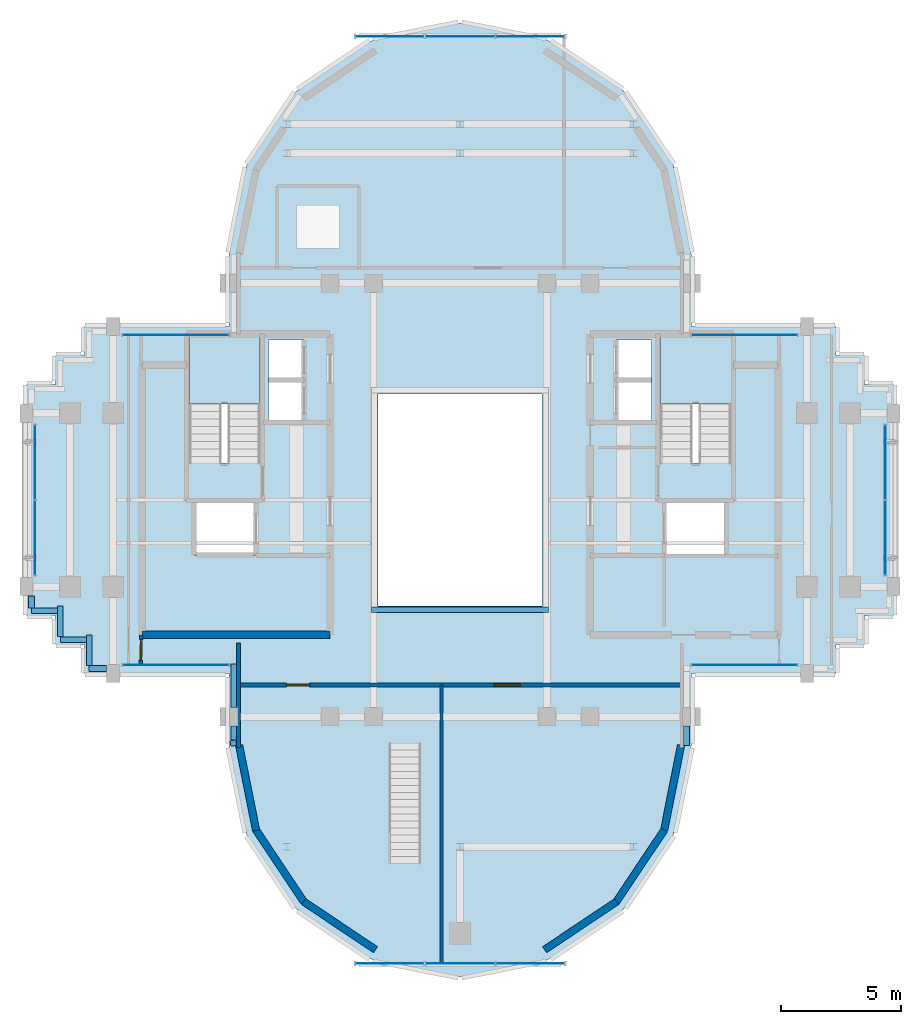
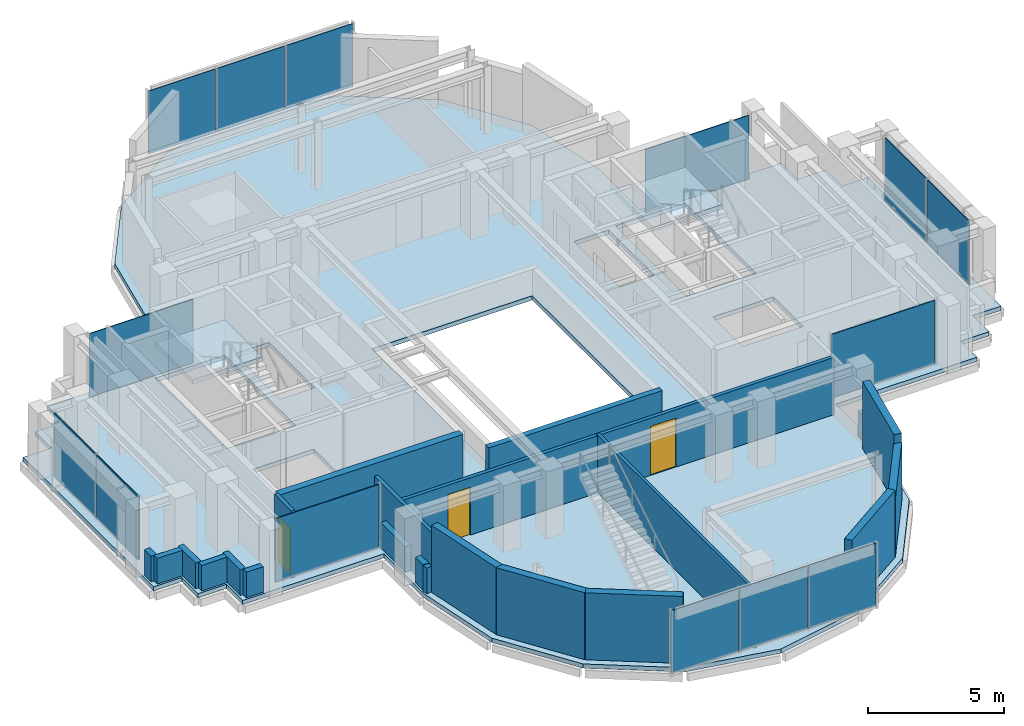
# One storey, part 7 of 12: 22 walls, 14 plates, 3 doors, 3 slabs, 3 openings, 10 elements without a shape of their own.
"""IFC4 building model written with IfcOpenShell, lengths in metres."""

from ifc_helpers import new_model, si_unit, direction, frame, frame_2d, origin, origin_2d, place, context, subcontext, project, spatial, polyline, rectangle, outline, extrude, source, transform, mapped, material, layer, layer_set, type_object, element, fill, aggregate, save


model = new_model("IFC4")

# Units and contexts
model_context = context("Model", 3, precision=1e-05, world=origin(), true_north=direction((0.0, 1.0)))
body_context = subcontext(model_context, "Body", "Model", "MODEL_VIEW")
ifc_project = project(units=[si_unit("LENGTHUNIT", "METRE"), si_unit("AREAUNIT", "SQUARE_METRE"), si_unit("VOLUMEUNIT", "CUBIC_METRE"), si_unit("PLANEANGLEUNIT", "RADIAN"), si_unit("MASSUNIT", "GRAM", prefix="KILO")], contexts=[model_context])

# Site, building, storey
site_placement = place(None, origin())
site = spatial("IfcSite", under=ifc_project, at=site_placement, CompositionType="ELEMENT")
building_placement = place(site_placement, origin())
building = spatial("IfcBuilding", under=site, at=building_placement, Name="Keilestroom Media Tower", CompositionType="ELEMENT")
storey_placement = place(building_placement, frame((0.0, 0.0, 239.60009765625)))
storey = spatial("IfcBuildingStorey", under=building, at=storey_placement, Name="L66", CompositionType="ELEMENT", Elevation=239.60009765625)

# Slab
ifc_material_1 = material(Name="Concrete C50/60", Category="concrete")
ifc_layer_1 = layer(ifc_material_1, 0.18994140625)
ifc_layer_set_1 = layer_set([ifc_layer_1], Name="Concrete C50/60")
slab_type_1 = type_object("IfcSlabType", Name="Composite-Floor-Slab-190", PredefinedType="FLOOR", material=ifc_layer_set_1)
slab_1_placement = place(storey_placement, frame((0.0, 0.0, -0.190185546875)))
element("IfcSlab", 1, at=slab_1_placement, inside=storey, type_object=slab_type_1, Name="L66 Structural Composite Floor Slab", PredefinedType="FLOOR", context=body_context, shape_type="SweptSolid", body=[
    extrude(outline(polyline([(18.0, -4.800048828125), (18.0, 4.800048828125), (16.800048828125, 4.800048828125), (16.800048828125, 6.0), (15.60009765625, 6.0), (15.60009765625, 7.199951171875), (9.60009765625, 7.199951171875), (9.60009765625, 9.60009765625), (9.60009765625, 10.199951171875), (8.869140625, 13.873779296875), (6.7880859375, 16.98828125), (3.673828125, 19.069091796875), (0.0, 19.800048828125), (-3.673828125, 19.069091796875), (-6.7880859375, 16.98828125), (-8.869140625, 13.873779296875), (-9.60009765625, 10.199951171875), (-9.60009765625, 9.60009765625), (-9.60009765625, 7.199951171875), (-15.60009765625, 7.199951171875), (-15.60009765625, 6.0), (-16.800048828125, 6.0), (-16.800048828125, 4.800048828125), (-18.0, 4.800048828125), (-18.0, -4.800048828125), (-16.800048828125, -4.800048828125), (-16.800048828125, -6.0), (-15.60009765625, -6.0), (-15.60009765625, -7.199951171875), (-9.60009765625, -7.199951171875), (-9.60009765625, -9.60009765625), (-9.60009765625, -10.199951171875), (-8.869140625, -13.873779296875), (-6.7880859375, -16.98828125), (-3.673828125, -19.069091796875), (0.0, -19.800048828125), (3.673828125, -19.069091796875), (6.7880859375, -16.98828125), (8.869140625, -13.873779296875), (9.60009765625, -10.199951171875), (9.60009765625, -9.60009765625), (9.60009765625, -7.199951171875), (15.60009765625, -7.199951171875), (15.60009765625, -6.0), (16.800048828125, -6.0), (16.800048828125, -4.800048828125), (18.0, -4.800048828125)]), holes=[polyline([(-8.300048828125, 1.544921875), (-11.260009765625, 1.544921875), (-11.260009765625, 6.760009765625), (-8.300048828125, 6.760009765625), (-8.300048828125, 1.544921875)]), polyline([(-8.47998046875, -2.280029296875), (-11.050048828125, -2.280029296875), (-11.050048828125, -0.10009765625), (-8.47998046875, -0.10009765625), (-8.47998046875, -2.280029296875)]), polyline([(-6.47998046875, 3.300048828125), (-7.949951171875, 3.300048828125), (-7.949951171875, 6.64990234375), (-6.47998046875, 6.64990234375), (-6.47998046875, 3.300048828125)]), polyline([(3.39990234375, -4.39990234375), (-3.39990234375, -4.39990234375), (-3.39990234375, 4.39990234375), (3.39990234375, 4.39990234375), (3.39990234375, -4.39990234375)]), polyline([(7.949951171875, 3.300048828125), (6.47998046875, 3.300048828125), (6.47998046875, 6.64990234375), (7.949951171875, 6.64990234375), (7.949951171875, 3.300048828125)]), polyline([(11.260009765625, 1.544921875), (8.300048828125, 1.544921875), (8.300048828125, 6.760009765625), (11.260009765625, 6.760009765625), (11.260009765625, 1.544921875)]), polyline([(11.050048828125, -2.280029296875), (8.47998046875, -2.280029296875), (8.47998046875, -0.10009765625), (11.050048828125, -0.10009765625), (11.050048828125, -2.280029296875)])]), origin(), (0.0, 0.0, 1.0), 0.190185546875),
])

# Stair, slab
ifc_material_2 = material(Name="Concrete C45/55", Category="concrete")
stair_type = type_object("IfcStairType", Name="Enclosed-Dog-Leg-Stair-ST-CORE", PredefinedType="HALF_TURN_STAIR", material=ifc_material_2)
stair_1_placement = place(storey_placement, origin())
stair_1 = element("IfcStair", 2, at=stair_1_placement, inside=storey, type_object=stair_type, Name="L66 West Core Escape Stair ST-1", PredefinedType="HALF_TURN_STAIR")
ifc_layer_2 = layer(ifc_material_2, 0.199951171875)
ifc_layer_set_2 = layer_set([ifc_layer_2], Name="Concrete C45/55")
slab_type_2 = type_object("IfcSlabType", Name="Stair-Intermediate-And-Top-Landing-Slab-200", PredefinedType="LANDING", material=ifc_layer_set_2)
slab_2_placement = place(storey_placement, frame((0.0, 0.0, 1.39990234375)))
slab_2 = element("IfcSlab", 3, at=slab_2_placement, type_object=slab_type_2, Name="ST-1 landing 1", PredefinedType="LANDING", context=body_context, shape_type="SweptSolid", body=[
    extrude(outline(polyline([(-8.300048828125, 3.99609375), (-8.300048828125, 6.760009765625), (-11.260009765625, 6.760009765625), (-11.260009765625, 3.99609375), (-8.300048828125, 3.99609375)])), origin(), (0.0, 0.0, 1.0), 0.199951171875),
])
aggregate(stair_1, [slab_2])

stair_2_placement = place(storey_placement, origin())
stair_2 = element("IfcStair", 4, at=stair_2_placement, inside=storey, type_object=stair_type, Name="L66 East Core Escape Stair ST-2", PredefinedType="HALF_TURN_STAIR")
slab_3_placement = place(storey_placement, frame((0.0, 0.0, 1.39990234375)))
slab_3 = element("IfcSlab", 5, at=slab_3_placement, type_object=slab_type_2, Name="ST-2 landing 1", PredefinedType="LANDING", context=body_context, shape_type="SweptSolid", body=[
    extrude(outline(polyline([(11.260009765625, 3.99609375), (11.260009765625, 6.760009765625), (8.300048828125, 6.760009765625), (8.300048828125, 3.99609375), (11.260009765625, 3.99609375)])), origin(), (0.0, 0.0, 1.0), 0.199951171875),
])
aggregate(stair_2, [slab_3])

# Curtain wall, plates
ifc_material_3 = material(Name="Anodised Aluminium Alloy", Category="aluminium")
curtain_wall_type_1 = type_object("IfcCurtainWallType", Name="Unitised-Curtain-Wall-CW-6", PredefinedType="NOTDEFINED", material=ifc_material_3)
curtain_wall_1_placement = place(storey_placement, origin())
curtain_wall_1 = element("IfcCurtainWall", 6, at=curtain_wall_1_placement, inside=storey, type_object=curtain_wall_type_1, Name="L66 Curtain Wall CW-6 CW-L66-LN-1", PredefinedType="NOTDEFINED")
ifc_material_4 = material(Name="Curved-Facet Triple Glazed Unit", Category="glass")
ifc_layer_3 = layer(ifc_material_4, 0.033935546875)
ifc_layer_set_3 = layer_set([ifc_layer_3], Name="Curved-Facet Triple Glazed Unit")
plate_type_1 = type_object("IfcPlateType", Name="Insulated-Curtain-Wall-Glazing-Panel-CW-6", PredefinedType="CURTAIN_PANEL", material=ifc_layer_set_3)
shared_shape_1 = source(origin(), body_context, "Body", "SweptSolid", [
    extrude(rectangle(XDim=2.84375, YDim=0.033935546875, at=origin_2d()), origin(), (0.0, 0.0, 1.0), 2.833984375),
])
plate_1_placement = place(storey_placement, frame((-2.9169921875, 19.25, 0.072998046875), z_axis=(0.0, 0.0, 1.0), x_axis=(1.0, 0.0, 0.0)))
plate_1 = element("IfcPlate", 7, at=plate_1_placement, type_object=plate_type_1, Name="CW-6 Unitised Glazing 00", PredefinedType="CURTAIN_PANEL", context=body_context, shape_type="MappedRepresentation", body=[
    mapped(shared_shape_1, transform((0.0, 0.0, 0.0), x_axis=(1.0, 0.0, 0.0), y_axis=(0.0, 1.0, 0.0), z_axis=(0.0, 0.0, 1.0), scale=1.0)),
])
plate_2_placement = place(storey_placement, frame((2.9169921875, 19.25, 0.072998046875), z_axis=(0.0, 0.0, 1.0), x_axis=(1.0, 0.0, 0.0)))
plate_2 = element("IfcPlate", 8, at=plate_2_placement, type_object=plate_type_1, Name="CW-6 Unitised Glazing 02", PredefinedType="CURTAIN_PANEL", context=body_context, shape_type="MappedRepresentation", body=[
    mapped(shared_shape_1, transform((0.0, 0.0, 0.0), x_axis=(1.0, 0.0, 0.0), y_axis=(0.0, 1.0, 0.0), z_axis=(0.0, 0.0, 1.0), scale=1.0)),
])

curtain_wall_2_placement = place(storey_placement, origin())
curtain_wall_2 = element("IfcCurtainWall", 9, at=curtain_wall_2_placement, inside=storey, type_object=curtain_wall_type_1, Name="L66 Curtain Wall CW-6 CW-L66-LS-1", PredefinedType="NOTDEFINED")
plate_3_placement = place(storey_placement, frame((-2.9169921875, -19.25, 0.072998046875), z_axis=(0.0, 0.0, 1.0), x_axis=(1.0, 0.0, 0.0)))
plate_3 = element("IfcPlate", 10, at=plate_3_placement, type_object=plate_type_1, Name="CW-6 Unitised Glazing 00", PredefinedType="CURTAIN_PANEL", context=body_context, shape_type="MappedRepresentation", body=[
    mapped(shared_shape_1, transform((0.0, 0.0, 0.0), x_axis=(1.0, 0.0, 0.0), y_axis=(0.0, 1.0, 0.0), z_axis=(0.0, 0.0, 1.0), scale=1.0)),
])
plate_4_placement = place(storey_placement, frame((2.9169921875, -19.25, 0.072998046875), z_axis=(0.0, 0.0, 1.0), x_axis=(1.0, 0.0, 0.0)))
plate_4 = element("IfcPlate", 11, at=plate_4_placement, type_object=plate_type_1, Name="CW-6 Unitised Glazing 02", PredefinedType="CURTAIN_PANEL", context=body_context, shape_type="MappedRepresentation", body=[
    mapped(shared_shape_1, transform((0.0, 0.0, 0.0), x_axis=(1.0, 0.0, 0.0), y_axis=(0.0, 1.0, 0.0), z_axis=(0.0, 0.0, 1.0), scale=1.0)),
])

# Plate
shared_shape_2 = source(origin(), body_context, "Body", "SweptSolid", [
    extrude(rectangle(XDim=2.876220703125, YDim=0.033935546875, at=origin_2d()), origin(), (0.0, 0.0, 1.0), 2.833984375),
])
plate_5_placement = place(storey_placement, frame((0.0, 19.25, 0.072998046875), z_axis=(0.0, 0.0, 1.0), x_axis=(1.0, 0.0, 0.0)))
plate_5 = element("IfcPlate", 12, at=plate_5_placement, type_object=plate_type_1, Name="CW-6 Unitised Glazing 01", PredefinedType="CURTAIN_PANEL", context=body_context, shape_type="MappedRepresentation", body=[
    mapped(shared_shape_2, transform((0.0, 0.0, 0.0), x_axis=(1.0, 0.0, 0.0), y_axis=(0.0, 1.0, 0.0), z_axis=(0.0, 0.0, 1.0), scale=1.0)),
])

aggregate(curtain_wall_1, [plate_1, plate_5, plate_2])

plate_6_placement = place(storey_placement, frame((0.0, -19.25, 0.072998046875), z_axis=(0.0, 0.0, 1.0), x_axis=(1.0, 0.0, 0.0)))
plate_6 = element("IfcPlate", 13, at=plate_6_placement, type_object=plate_type_1, Name="CW-6 Unitised Glazing 01", PredefinedType="CURTAIN_PANEL", context=body_context, shape_type="MappedRepresentation", body=[
    mapped(shared_shape_2, transform((0.0, 0.0, 0.0), x_axis=(1.0, 0.0, 0.0), y_axis=(0.0, 1.0, 0.0), z_axis=(0.0, 0.0, 1.0), scale=1.0)),
])

aggregate(curtain_wall_2, [plate_3, plate_6, plate_4])

# Curtain wall, plates
curtain_wall_type_2 = type_object("IfcCurtainWallType", Name="Unitised-Curtain-Wall-CW-4", PredefinedType="NOTDEFINED", material=ifc_material_3)
curtain_wall_3_placement = place(storey_placement, origin())
curtain_wall_3 = element("IfcCurtainWall", 14, at=curtain_wall_3_placement, inside=storey, type_object=curtain_wall_type_2, Name="L66 Curtain Wall CW-4 CW-L66-W-1", PredefinedType="NOTDEFINED")
ifc_material_5 = material(Name="Triple Glazed Solar-Control Unit", Category="glass")
ifc_layer_4 = layer(ifc_material_5, 0.035888671875)
ifc_layer_set_4 = layer_set([ifc_layer_4], Name="Triple Glazed Solar-Control Unit")
plate_type_2 = type_object("IfcPlateType", Name="Insulated-Curtain-Wall-Glazing-Panel-CW-4", PredefinedType="CURTAIN_PANEL", material=ifc_layer_set_4)
shared_shape_3 = source(origin(), body_context, "Body", "SweptSolid", [
    extrude(rectangle(XDim=3.0830078125, YDim=0.035888671875, at=origin_2d()), origin(), (0.0, 0.0, 1.0), 2.85400390625),
])
plate_7_placement = place(storey_placement, frame((-17.64990234375, -1.5673828125, 0.06298828125), z_axis=(0.0, 0.0, 1.0), x_axis=(0.0, 1.0, 0.0)))
plate_7 = element("IfcPlate", 15, at=plate_7_placement, type_object=plate_type_2, Name="CW-4 Unitised Glazing 00", PredefinedType="CURTAIN_PANEL", context=body_context, shape_type="MappedRepresentation", body=[
    mapped(shared_shape_3, transform((0.0, 0.0, 0.0), x_axis=(1.0, 0.0, 0.0), y_axis=(0.0, 1.0, 0.0), z_axis=(0.0, 0.0, 1.0), scale=1.0)),
])
plate_8_placement = place(storey_placement, frame((-17.64990234375, 1.5673828125, 0.06298828125), z_axis=(0.0, 0.0, 1.0), x_axis=(0.0, 1.0, 0.0)))
plate_8 = element("IfcPlate", 16, at=plate_8_placement, type_object=plate_type_2, Name="CW-4 Unitised Glazing 01", PredefinedType="CURTAIN_PANEL", context=body_context, shape_type="MappedRepresentation", body=[
    mapped(shared_shape_3, transform((0.0, 0.0, 0.0), x_axis=(1.0, 0.0, 0.0), y_axis=(0.0, 1.0, 0.0), z_axis=(0.0, 0.0, 1.0), scale=1.0)),
])
aggregate(curtain_wall_3, [plate_7, plate_8])

curtain_wall_4_placement = place(storey_placement, origin())
curtain_wall_4 = element("IfcCurtainWall", 17, at=curtain_wall_4_placement, inside=storey, type_object=curtain_wall_type_2, Name="L66 Curtain Wall CW-4 CW-L66-E-1", PredefinedType="NOTDEFINED")
plate_9_placement = place(storey_placement, frame((17.64990234375, -1.5673828125, 0.06298828125), z_axis=(0.0, 0.0, 1.0), x_axis=(0.0, 1.0, 0.0)))
plate_9 = element("IfcPlate", 18, at=plate_9_placement, type_object=plate_type_2, Name="CW-4 Unitised Glazing 00", PredefinedType="CURTAIN_PANEL", context=body_context, shape_type="MappedRepresentation", body=[
    mapped(shared_shape_3, transform((0.0, 0.0, 0.0), x_axis=(1.0, 0.0, 0.0), y_axis=(0.0, 1.0, 0.0), z_axis=(0.0, 0.0, 1.0), scale=1.0)),
])
plate_10_placement = place(storey_placement, frame((17.64990234375, 1.5673828125, 0.06298828125), z_axis=(0.0, 0.0, 1.0), x_axis=(0.0, 1.0, 0.0)))
plate_10 = element("IfcPlate", 19, at=plate_10_placement, type_object=plate_type_2, Name="CW-4 Unitised Glazing 01", PredefinedType="CURTAIN_PANEL", context=body_context, shape_type="MappedRepresentation", body=[
    mapped(shared_shape_3, transform((0.0, 0.0, 0.0), x_axis=(1.0, 0.0, 0.0), y_axis=(0.0, 1.0, 0.0), z_axis=(0.0, 0.0, 1.0), scale=1.0)),
])
aggregate(curtain_wall_4, [plate_9, plate_10])

# Curtain wall, plate
curtain_wall_5_placement = place(storey_placement, origin())
curtain_wall_5 = element("IfcCurtainWall", 20, at=curtain_wall_5_placement, inside=storey, type_object=curtain_wall_type_2, Name="L66 Curtain Wall CW-4 CW-L66-NW-1", PredefinedType="NOTDEFINED")
shared_shape_4 = source(origin(), body_context, "Body", "SweptSolid", [
    extrude(rectangle(XDim=4.403076171875, YDim=0.035888671875, at=origin_2d()), origin(), (0.0, 0.0, 1.0), 2.85400390625),
])
plate_11_placement = place(storey_placement, frame((-11.8076171875, 6.85009765625, 0.06298828125), z_axis=(0.0, 0.0, 1.0), x_axis=(1.0, 0.0, 0.0)))
plate_11 = element("IfcPlate", 21, at=plate_11_placement, type_object=plate_type_2, Name="CW-4 Unitised Glazing 00", PredefinedType="CURTAIN_PANEL", context=body_context, shape_type="MappedRepresentation", body=[
    mapped(shared_shape_4, transform((0.0, 0.0, 0.0), x_axis=(1.0, 0.0, 0.0), y_axis=(0.0, 1.0, 0.0), z_axis=(0.0, 0.0, 1.0), scale=1.0)),
])
aggregate(curtain_wall_5, [plate_11])

curtain_wall_6_placement = place(storey_placement, origin())
curtain_wall_6 = element("IfcCurtainWall", 22, at=curtain_wall_6_placement, inside=storey, type_object=curtain_wall_type_2, Name="L66 Curtain Wall CW-4 CW-L66-NE-1", PredefinedType="NOTDEFINED")
plate_12_placement = place(storey_placement, frame((11.8076171875, 6.85009765625, 0.06298828125), z_axis=(0.0, 0.0, 1.0), x_axis=(1.0, 0.0, 0.0)))
plate_12 = element("IfcPlate", 23, at=plate_12_placement, type_object=plate_type_2, Name="CW-4 Unitised Glazing 00", PredefinedType="CURTAIN_PANEL", context=body_context, shape_type="MappedRepresentation", body=[
    mapped(shared_shape_4, transform((0.0, 0.0, 0.0), x_axis=(1.0, 0.0, 0.0), y_axis=(0.0, 1.0, 0.0), z_axis=(0.0, 0.0, 1.0), scale=1.0)),
])
aggregate(curtain_wall_6, [plate_12])

curtain_wall_7_placement = place(storey_placement, origin())
curtain_wall_7 = element("IfcCurtainWall", 24, at=curtain_wall_7_placement, inside=storey, type_object=curtain_wall_type_2, Name="L66 Curtain Wall CW-4 CW-L66-SW-1", PredefinedType="NOTDEFINED")
plate_13_placement = place(storey_placement, frame((-11.8076171875, -6.85009765625, 0.06298828125), z_axis=(0.0, 0.0, 1.0), x_axis=(1.0, 0.0, 0.0)))
plate_13 = element("IfcPlate", 25, at=plate_13_placement, type_object=plate_type_2, Name="CW-4 Unitised Glazing 00", PredefinedType="CURTAIN_PANEL", context=body_context, shape_type="MappedRepresentation", body=[
    mapped(shared_shape_4, transform((0.0, 0.0, 0.0), x_axis=(1.0, 0.0, 0.0), y_axis=(0.0, 1.0, 0.0), z_axis=(0.0, 0.0, 1.0), scale=1.0)),
])
aggregate(curtain_wall_7, [plate_13])

curtain_wall_8_placement = place(storey_placement, origin())
curtain_wall_8 = element("IfcCurtainWall", 26, at=curtain_wall_8_placement, inside=storey, type_object=curtain_wall_type_2, Name="L66 Curtain Wall CW-4 CW-L66-SE-1", PredefinedType="NOTDEFINED")
plate_14_placement = place(storey_placement, frame((11.8076171875, -6.85009765625, 0.06298828125), z_axis=(0.0, 0.0, 1.0), x_axis=(1.0, 0.0, 0.0)))
plate_14 = element("IfcPlate", 27, at=plate_14_placement, type_object=plate_type_2, Name="CW-4 Unitised Glazing 00", PredefinedType="CURTAIN_PANEL", context=body_context, shape_type="MappedRepresentation", body=[
    mapped(shared_shape_4, transform((0.0, 0.0, 0.0), x_axis=(1.0, 0.0, 0.0), y_axis=(0.0, 1.0, 0.0), z_axis=(0.0, 0.0, 1.0), scale=1.0)),
])
aggregate(curtain_wall_8, [plate_14])

# Walls
ifc_material_6 = material(Name="Precast concrete C40/50", Category="concrete")
ifc_layer_5 = layer(ifc_material_6, 0.300048828125)
ifc_layer_set_5 = layer_set([ifc_layer_5], Name="Precast concrete C40/50")
wall_type_1 = type_object("IfcWallType", Name="Exterior-Masonry-Spandrel-Wall-300", PredefinedType="SOLIDWALL", material=ifc_layer_set_5)
for number, where, z_axis, x_axis, name in (
    (28, (-9.1748046875, -10.185302734375, 0.0), (0.0, 0.0, 1.0), (0.195114232679, -0.980780523974, 0.0), "L66 Lobe Facet Precast Frame Wall 07"),
    (29, (-8.48193359375, -13.697509765625, 0.0), (0.0, 0.0, 1.0), (0.555574187116, -0.831466970246, 0.0), "L66 Lobe Facet Precast Frame Wall 08"),
):
    element("IfcWall", number, at=place(storey_placement, frame(where, z_axis=z_axis, x_axis=x_axis)), inside=storey, type_object=wall_type_1, Name=name, PredefinedType="SOLIDWALL", context=body_context, shape_type="SweptSolid", body=[
        extrude(rectangle(XDim=3.608642578125, YDim=0.300048828125, at=frame_2d((1.80419921875, 0.0))), origin(), (0.0, 0.0, 1.0), 3.010009765625),
    ])
for number, where, z_axis, x_axis, name in (
    (30, (-6.497802734375, -16.677001953125, 0.0), (0.0, 0.0, 1.0), (0.831443568068, -0.555609208993, 0.0), "L66 Lobe Facet Precast Frame Wall 09"),
    (31, (3.510009765625, -18.673583984375, 0.0), (0.0, 0.0, 1.0), (0.831443568068, 0.555609208993, 0.0), "L66 Lobe Facet Precast Frame Wall 10"),
):
    element("IfcWall", number, at=place(storey_placement, frame(where, z_axis=z_axis, x_axis=x_axis)), inside=storey, type_object=wall_type_1, Name=name, PredefinedType="SOLIDWALL", context=body_context, shape_type="SweptSolid", body=[
        extrude(rectangle(XDim=3.593505859375, YDim=0.300048828125, at=frame_2d((1.796875, 0.0))), origin(), (0.0, 0.0, 1.0), 3.010009765625),
    ])
wall_1_placement = place(storey_placement, frame((6.47705078125, -16.697998046875, 0.0), z_axis=(0.0, 0.0, 1.0), x_axis=(0.555574187116, 0.831466970246, 0.0)))
element("IfcWall", 32, at=wall_1_placement, inside=storey, type_object=wall_type_1, Name="L66 Lobe Facet Precast Frame Wall 11", PredefinedType="SOLIDWALL", context=body_context, shape_type="SweptSolid", body=[
    extrude(rectangle(XDim=3.608642578125, YDim=0.300048828125, at=frame_2d((1.80419921875, 0.0))), origin(), (0.0, 0.0, 1.0), 2.60986328125),
])
wall_2_placement = place(storey_placement, frame((8.470703125, -13.724609375, 0.0), z_axis=(0.0, 0.0, 1.0), x_axis=(0.195114232679, 0.980780523974, 0.0)))
element("IfcWall", 33, at=wall_2_placement, inside=storey, type_object=wall_type_1, Name="L66 Lobe Facet Precast Frame Wall 12", PredefinedType="SOLIDWALL", context=body_context, shape_type="SweptSolid", body=[
    extrude(rectangle(XDim=3.608642578125, YDim=0.300048828125, at=frame_2d((1.80419921875, 0.0))), origin(), (0.0, 0.0, 1.0), 3.010009765625),
])
ifc_material_7 = material(Name="Gypsum Plasterboard & Steel Stud", Category="steel")
ifc_layer_6 = layer(ifc_material_7, 0.1201171875)
ifc_layer_set_6 = layer_set([ifc_layer_6], Name="Gypsum Plasterboard & Steel Stud")
wall_type_2 = type_object("IfcWallType", Name="Interior-Partition-Wall-120", PredefinedType="PARTITIONING", material=ifc_layer_set_6)
wall_3_placement = place(storey_placement, frame((-0.780029296875, -19.25, 0.0), z_axis=(0.0, 0.0, 1.0), x_axis=(0.0, 1.0, 0.0)))
element("IfcWall", 34, at=wall_3_placement, inside=storey, type_object=wall_type_2, Name="L66 Interior Wall WP-L66-SL-VS", PredefinedType="PARTITIONING", context=body_context, shape_type="SweptSolid", body=[
    extrude(rectangle(XDim=11.570068359375, YDim=0.1201171875, at=frame_2d((5.78515625, 0.0))), origin(), (0.0, 0.0, 1.0), 2.60986328125),
])

# Wall, openings, doors
ifc_layer_7 = layer(ifc_material_7, 0.14990234375)
ifc_layer_set_7 = layer_set([ifc_layer_7], Name="Gypsum Plasterboard & Steel Stud")
wall_type_3 = type_object("IfcWallType", Name="Interior-Partition-Wall-150", PredefinedType="PARTITIONING", material=ifc_layer_set_7)
wall_4_placement = place(storey_placement, frame((-9.199951171875, -7.679931640625, 0.0), z_axis=(0.0, 0.0, 1.0), x_axis=(1.0, 0.0, 0.0)))
wall_4 = element("IfcWall", 35, at=wall_4_placement, inside=storey, type_object=wall_type_3, Name="L66 Interior Wall WP-L66-SL-BASE", PredefinedType="PARTITIONING", context=body_context, shape_type="SweptSolid", body=[
    extrude(rectangle(XDim=18.39990234375, YDim=0.14990234375, at=frame_2d((9.199951171875, 0.0))), origin(), (0.0, 0.0, 1.0), 2.56982421875),
])
opening_1_placement = place(wall_4_placement, frame((2.0, 0.0, 0.0)))
opening_1 = element("IfcOpeningElement", 36, at=opening_1_placement, cuts=wall_4, Name="Opening DI-03", PredefinedType="OPENING", context=body_context, shape_type="SweptSolid", body=[
    extrude(rectangle(XDim=0.949951171875, YDim=2.14990234375, at=frame_2d((0.47509765625, 1.074951171875))), frame((0.0, 0.0849609375, 0.0), z_axis=(0.0, -1.0, 0.0), x_axis=(1.0, 0.0, 0.0)), (0.0, 0.0, 1.0), 0.169921875),
])
opening_2_placement = place(wall_4_placement, frame((10.60009765625, 0.0, 0.0)))
opening_2 = element("IfcOpeningElement", 37, at=opening_2_placement, cuts=wall_4, Name="Opening DI-04", PredefinedType="OPENING", context=body_context, shape_type="SweptSolid", body=[
    extrude(rectangle(XDim=1.10009765625, YDim=2.199951171875, at=frame_2d((0.550048828125, 1.10009765625))), frame((0.0, 0.0849609375, 0.0), z_axis=(0.0, -1.0, 0.0), x_axis=(1.0, 0.0, 0.0)), (0.0, 0.0, 1.0), 0.169921875),
])
ifc_material_8 = material(Name="Lacquered European Oak Leaf", Category="wood")
door_type_1 = type_object("IfcDoorType", Name="Interior-Room-And-Suite-Door-DI-03", OperationType="NOTDEFINED", PredefinedType="DOOR", material=ifc_material_8)
shared_shape_5 = source(origin(), body_context, "Body", "SweptSolid", [
    extrude(rectangle(XDim=0.949951171875, YDim=2.14990234375, at=frame_2d((0.47509765625, 1.074951171875))), frame((0.0, 0.02490234375, 0.0), z_axis=(0.0, -1.0, 0.0), x_axis=(1.0, 0.0, 0.0)), (0.0, 0.0, 1.0), 0.050048828125),
])
door_1_placement = place(opening_1_placement, origin())
door_1 = element("IfcDoor", 38, at=door_1_placement, inside=storey, type_object=door_type_1, Name="L66 Interior Door DI-L66-DSL-W", OperationType="SINGLE_SWING_RIGHT", OverallHeight=2.14990234375, OverallWidth=0.949951171875, PredefinedType="DOOR", context=body_context, shape_type="MappedRepresentation", body=[
    mapped(shared_shape_5, transform((0.0, 0.0, 0.0), x_axis=(1.0, 0.0, 0.0), y_axis=(0.0, 1.0, 0.0), z_axis=(0.0, 0.0, 1.0), scale=1.0)),
])
fill(opening_1, door_1)
ifc_material_9 = material(Name="Acoustic Glazed Aluminium Leaf", Category="aluminium")
door_type_2 = type_object("IfcDoorType", Name="Interior-Room-And-Suite-Door-DI-04", OperationType="NOTDEFINED", PredefinedType="DOOR", material=ifc_material_9)
shared_shape_6 = source(origin(), body_context, "Body", "SweptSolid", [
    extrude(rectangle(XDim=1.10009765625, YDim=2.199951171875, at=frame_2d((0.550048828125, 1.10009765625))), frame((0.0, 0.02490234375, 0.0), z_axis=(0.0, -1.0, 0.0), x_axis=(1.0, 0.0, 0.0)), (0.0, 0.0, 1.0), 0.050048828125),
])
door_2_placement = place(opening_2_placement, origin())
door_2 = element("IfcDoor", 39, at=door_2_placement, inside=storey, type_object=door_type_2, Name="L66 Interior Door DI-L66-DSL-E", OperationType="SINGLE_SWING_LEFT", OverallHeight=2.199951171875, OverallWidth=1.10009765625, PredefinedType="DOOR", context=body_context, shape_type="MappedRepresentation", body=[
    mapped(shared_shape_6, transform((0.0, 0.0, 0.0), x_axis=(1.0, 0.0, 0.0), y_axis=(0.0, 1.0, 0.0), z_axis=(0.0, 0.0, 1.0), scale=1.0)),
])
fill(opening_2, door_2)

# Wall
wall_5_placement = place(storey_placement, frame((-9.199951171875, -10.280029296875, 0.0), z_axis=(0.0, 0.0, 1.0), x_axis=(0.0, 1.0, 0.0)))
element("IfcWall", 40, at=wall_5_placement, inside=storey, type_object=wall_type_3, Name="L66 Interior Wall WP-L66-SL-CHKW", PredefinedType="PARTITIONING", context=body_context, shape_type="SweptSolid", body=[
    extrude(rectangle(XDim=4.340087890625, YDim=0.14990234375, at=frame_2d((2.169921875, 0.0))), origin(), (0.0, 0.0, 1.0), 2.60986328125),
])

# Wall, opening, door
wall_6_placement = place(storey_placement, frame((-13.260009765625, -6.85009765625, 0.0), z_axis=(0.0, 0.0, 1.0), x_axis=(0.016013571389, 0.999871774545, 0.0)))
wall_6 = element("IfcWall", 41, at=wall_6_placement, inside=storey, type_object=wall_type_3, Name="L66 Interior Wall WP-L66-WA-ENTS", PredefinedType="PARTITIONING", context=body_context, shape_type="SweptSolid", body=[
    extrude(rectangle(XDim=1.250244140625, YDim=0.14990234375, at=frame_2d((0.625, 0.0))), origin(), (0.0, 0.0, 1.0), 3.010009765625),
])
opening_3_placement = place(wall_6_placement, frame((0.199951171875, 0.0, 0.0)))
opening_3 = element("IfcOpeningElement", 42, at=opening_3_placement, cuts=wall_6, Name="Opening DI-05", PredefinedType="OPENING", context=body_context, shape_type="SweptSolid", body=[
    extrude(rectangle(XDim=0.85009765625, YDim=2.10009765625, at=frame_2d((0.425048828125, 1.050048828125))), frame((0.0, 0.0849609375, 0.0), z_axis=(0.0, -1.0, 0.0), x_axis=(1.0, 0.0, 0.0)), (0.0, 0.0, 1.0), 0.169921875),
])
ifc_material_10 = material(Name="Moisture-Resistant Oak Leaf", Category="wood")
door_type_3 = type_object("IfcDoorType", Name="Interior-En-Suite-And-Cupboard-Door-DI-05", OperationType="NOTDEFINED", PredefinedType="DOOR", material=ifc_material_10)
shared_shape_7 = source(origin(), body_context, "Body", "SweptSolid", [
    extrude(rectangle(XDim=0.85009765625, YDim=2.10009765625, at=frame_2d((0.425048828125, 1.050048828125))), frame((0.0, 0.02490234375, 0.0), z_axis=(0.0, -1.0, 0.0), x_axis=(1.0, 0.0, 0.0)), (0.0, 0.0, 1.0), 0.050048828125),
])
door_3_placement = place(opening_3_placement, origin())
door_3 = element("IfcDoor", 43, at=door_3_placement, inside=storey, type_object=door_type_3, Name="L66 Interior Door DI-L66-DWA-ENTS", OperationType="SINGLE_SWING_RIGHT", OverallHeight=2.10009765625, OverallWidth=0.85009765625, PredefinedType="DOOR", context=body_context, shape_type="MappedRepresentation", body=[
    mapped(shared_shape_7, transform((0.0, 0.0, 0.0), x_axis=(1.0, 0.0, 0.0), y_axis=(0.0, 1.0, 0.0), z_axis=(0.0, 0.0, 1.0), scale=1.0)),
])
fill(opening_3, door_3)

# Walls
ifc_layer_8 = layer(ifc_material_1, 0.300048828125)
ifc_layer_set_8 = layer_set([ifc_layer_8], Name="Concrete C50/60")
wall_type_4 = type_object("IfcWallType", Name="Reinforced-Concrete-Core-Shear-Wall-300", PredefinedType="SHEAR", material=ifc_layer_set_8)
wall_7_placement = place(storey_placement, frame((-13.199951171875, -5.60009765625, 0.0), z_axis=(0.0, 0.0, 1.0), x_axis=(1.0, 0.0, 0.0)))
element("IfcWall", 44, at=wall_7_placement, inside=storey, type_object=wall_type_4, Name="L66 Core Shear Wall WL-L66-CORE-W-S", PredefinedType="SHEAR", context=body_context, shape_type="SweptSolid", body=[
    extrude(rectangle(XDim=7.800048828125, YDim=0.300048828125, at=frame_2d((3.89990234375, 0.0))), origin(), (0.0, 0.0, 1.0), 3.010009765625),
])
ifc_layer_9 = layer(ifc_material_6, 0.239990234375)
ifc_layer_set_9 = layer_set([ifc_layer_9], Name="Precast concrete C40/50")
wall_type_5 = type_object("IfcWallType", Name="Roof-And-Terrace-Parapet-Wall-240", PredefinedType="PARAPET", material=ifc_layer_set_9)
wall_8_placement = place(storey_placement, frame((9.39990234375, -9.3779296875, 0.0), z_axis=(0.0, 0.0, 1.0), x_axis=(0.0, -1.0, 0.0)))
element("IfcWall", 45, at=wall_8_placement, inside=storey, type_object=wall_type_5, Name="L66 Perimeter Edge Parapet Wall 09", PredefinedType="PARAPET", context=body_context, shape_type="SweptSolid", body=[
    extrude(rectangle(XDim=0.824951171875, YDim=0.239990234375, at=frame_2d((0.41259765625, 0.0))), origin(), (0.0, 0.0, 1.0), 1.14990234375),
])
wall_9_placement = place(storey_placement, frame((-9.395263671875, -10.2041015625, 0.0), z_axis=(0.0, 0.0, 1.0), x_axis=(-0.194859894132, 0.980831087221, 0.0)))
element("IfcWall", 46, at=wall_9_placement, inside=storey, type_object=wall_type_5, Name="L66 Perimeter Edge Parapet Wall 10", PredefinedType="PARAPET", context=body_context, shape_type="SweptSolid", body=[
    extrude(rectangle(XDim=0.224365234375, YDim=0.239990234375, at=frame_2d((0.1123046875, 0.0))), origin(), (0.0, 0.0, 1.0), 1.14990234375),
])
wall_10_placement = place(storey_placement, frame((-9.39990234375, -9.957763671875, 0.0), z_axis=(0.0, 0.0, 1.0), x_axis=(0.0, 1.0, 0.0)))
element("IfcWall", 47, at=wall_10_placement, inside=storey, type_object=wall_type_5, Name="L66 Perimeter Edge Parapet Wall 11", PredefinedType="PARAPET", context=body_context, shape_type="SweptSolid", body=[
    extrude(rectangle(XDim=0.579833984375, YDim=0.239990234375, at=frame_2d((0.2900390625, 0.0))), origin(), (0.0, 0.0, 1.0), 1.14990234375),
])
wall_11_placement = place(storey_placement, frame((-9.39990234375, -8.6220703125, 0.0), z_axis=(0.0, 0.0, 1.0), x_axis=(0.0, 1.0, 0.0)))
element("IfcWall", 48, at=wall_11_placement, inside=storey, type_object=wall_type_5, Name="L66 Perimeter Edge Parapet Wall 12", PredefinedType="PARAPET", context=body_context, shape_type="SweptSolid", body=[
    extrude(rectangle(XDim=1.802978515625, YDim=0.239990234375, at=frame_2d((0.9013671875, 0.0))), origin(), (0.0, 0.0, 1.0), 1.14990234375),
])
wall_12_placement = place(storey_placement, frame((-14.677978515625, -7.0, 0.0), z_axis=(0.0, 0.0, 1.0), x_axis=(-1.0, 0.0, 0.0)))
element("IfcWall", 49, at=wall_12_placement, inside=storey, type_object=wall_type_5, Name="L66 Perimeter Edge Parapet Wall 13", PredefinedType="PARAPET", context=body_context, shape_type="SweptSolid", body=[
    extrude(rectangle(XDim=0.721923828125, YDim=0.239990234375, at=frame_2d((0.36083984375, 0.0))), origin(), (0.0, 0.0, 1.0), 1.14990234375),
])
wall_13_placement = place(storey_placement, frame((-15.39990234375, -6.876953125, 0.0), z_axis=(0.0, 0.0, 1.0), x_axis=(0.0, 1.0, 0.0)))
element("IfcWall", 50, at=wall_13_placement, inside=storey, type_object=wall_type_5, Name="L66 Perimeter Edge Parapet Wall 14", PredefinedType="PARAPET", context=body_context, shape_type="SweptSolid", body=[
    extrude(rectangle(XDim=1.27685546875, YDim=0.239990234375, at=frame_2d((0.638427734375, 0.0))), origin(), (0.0, 0.0, 1.0), 1.14990234375),
])
wall_14_placement = place(storey_placement, frame((-15.52294921875, -5.800048828125, 0.0), z_axis=(0.0, 0.0, 1.0), x_axis=(-1.0, 0.0, 0.0)))
element("IfcWall", 51, at=wall_14_placement, inside=storey, type_object=wall_type_5, Name="L66 Perimeter Edge Parapet Wall 15", PredefinedType="PARAPET", context=body_context, shape_type="SweptSolid", body=[
    extrude(rectangle(XDim=1.0771484375, YDim=0.239990234375, at=frame_2d((0.53857421875, 0.0))), origin(), (0.0, 0.0, 1.0), 1.14990234375),
])
wall_15_placement = place(storey_placement, frame((-16.60009765625, -5.677001953125, 0.0), z_axis=(0.0, 0.0, 1.0), x_axis=(0.0, 1.0, 0.0)))
element("IfcWall", 52, at=wall_15_placement, inside=storey, type_object=wall_type_5, Name="L66 Perimeter Edge Parapet Wall 16", PredefinedType="PARAPET", context=body_context, shape_type="SweptSolid", body=[
    extrude(rectangle(XDim=1.277099609375, YDim=0.239990234375, at=frame_2d((0.638671875, 0.0))), origin(), (0.0, 0.0, 1.0), 1.14990234375),
])
wall_16_placement = place(storey_placement, frame((-16.722900390625, -4.60009765625, 0.0), z_axis=(0.0, 0.0, 1.0), x_axis=(-1.0, 0.0, 0.0)))
element("IfcWall", 53, at=wall_16_placement, inside=storey, type_object=wall_type_5, Name="L66 Perimeter Edge Parapet Wall 17", PredefinedType="PARAPET", context=body_context, shape_type="SweptSolid", body=[
    extrude(rectangle(XDim=1.0771484375, YDim=0.239990234375, at=frame_2d((0.53857421875, 0.0))), origin(), (0.0, 0.0, 1.0), 1.14990234375),
])
wall_17_placement = place(storey_placement, frame((-17.800048828125, -4.47705078125, 0.0), z_axis=(0.0, 0.0, 1.0), x_axis=(0.0, 1.0, 0.0)))
element("IfcWall", 54, at=wall_17_placement, inside=storey, type_object=wall_type_5, Name="L66 Perimeter Edge Parapet Wall 18", PredefinedType="PARAPET", context=body_context, shape_type="SweptSolid", body=[
    extrude(rectangle(XDim=0.4990234375, YDim=0.239990234375, at=frame_2d((0.24951171875, 0.0))), origin(), (0.0, 0.0, 1.0), 1.14990234375),
])
wall_18_placement = place(storey_placement, frame((-3.679931640625, -4.56005859375, 0.0), z_axis=(0.0, 0.0, 1.0), x_axis=(1.0, 0.0, 0.0)))
element("IfcWall", 55, at=wall_18_placement, inside=storey, type_object=wall_type_5, Name="L66 Central Atrium Guard Parapet S", PredefinedType="PARAPET", context=body_context, shape_type="SweptSolid", body=[
    extrude(rectangle(XDim=7.35986328125, YDim=0.239990234375, at=frame_2d((3.679931640625, 0.0))), origin(), (0.0, 0.0, 1.0), 1.14990234375),
])

save(model, "model.ifc")
